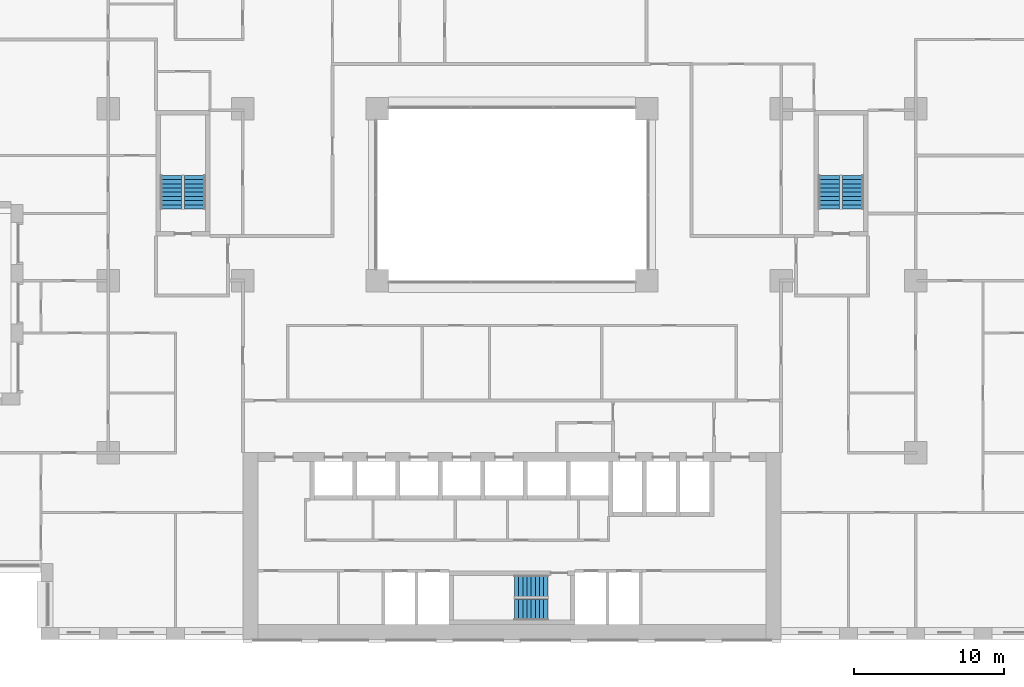
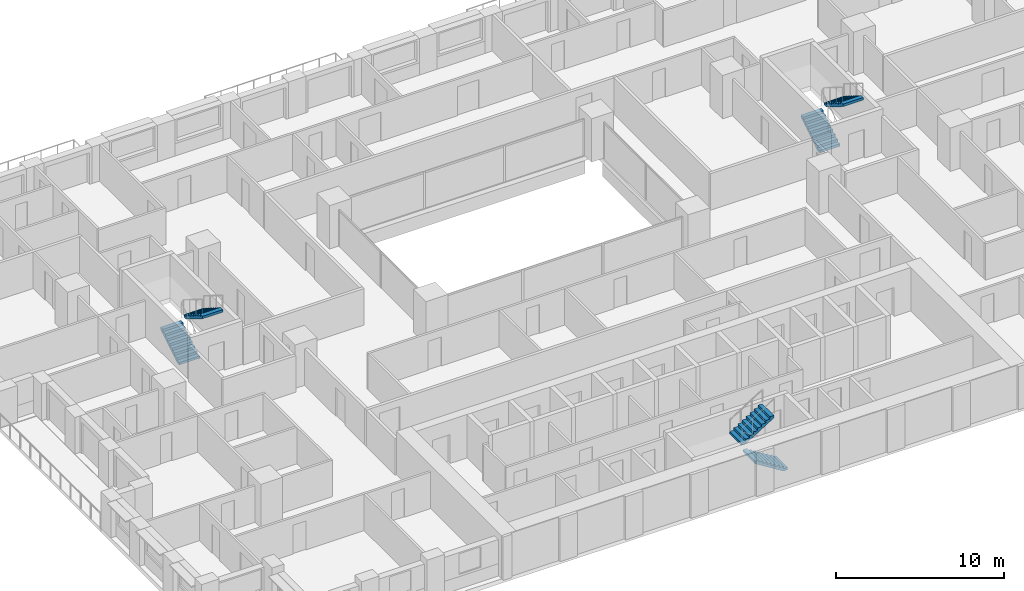
# One storey, part 18 of 20: 6 stair flights, 3 elements without a shape of their own.
"""IFC4 building model written with IfcOpenShell, lengths in metres."""

from ifc_helpers import new_model, si_unit, direction, frame, origin, place, context, subcontext, project, spatial, polyline, outline, extrude, material, type_object, element, aggregate, save


model = new_model("IFC4")

# Units and contexts
model_context = context("Model", 3, precision=1e-05, world=origin(), true_north=direction((0.0, 1.0)))
body_context = subcontext(model_context, "Body", "Model", "MODEL_VIEW")
ifc_project = project(units=[si_unit("LENGTHUNIT", "METRE"), si_unit("AREAUNIT", "SQUARE_METRE"), si_unit("VOLUMEUNIT", "CUBIC_METRE"), si_unit("PLANEANGLEUNIT", "RADIAN"), si_unit("MASSUNIT", "GRAM", prefix="KILO")], contexts=[model_context])

# Site, building, storey
site_placement = place(None, origin())
site = spatial("IfcSite", under=ifc_project, at=site_placement, CompositionType="ELEMENT")
building_placement = place(site_placement, origin())
building = spatial("IfcBuilding", under=site, at=building_placement, Name="Brigalow Station Residences", CompositionType="ELEMENT")
storey_placement = place(building_placement, frame((0.0, 0.0, 69.89990234375)))
storey = spatial("IfcBuildingStorey", under=building, at=storey_placement, Name="L20", CompositionType="ELEMENT", Elevation=69.89990234375)

# Stair, stair flights
ifc_material_1 = material(Name="Concrete C50", Category="concrete")
stair_type = type_object("IfcStairType", Name="EXIT STAIR 1400 2 FLIGHT", PredefinedType="HALF_TURN_STAIR", material=ifc_material_1)
stair_1_placement = place(storey_placement, origin())
stair_1 = element("IfcStair", 1, at=stair_1_placement, inside=storey, type_object=stair_type, Name="EXIT STAIR S2 L20", PredefinedType="HALF_TURN_STAIR")
ifc_material_2 = material(Name="Concrete C50", Category="concrete")
stair_flight_type = type_object("IfcStairFlightType", Name="STAIR FLIGHT 1400", PredefinedType="STRAIGHT", material=ifc_material_2)
stair_flight_1_placement = place(storey_placement, frame((38.39990234375, 2.0, 0.0), z_axis=(0.0, 0.0, 1.0), x_axis=(-1.0, 0.0, 0.0)))
stair_flight_1 = element("IfcStairFlight", 2, at=stair_flight_1_placement, type_object=stair_flight_type, Name="ST-2 flight 1", NumberOfRisers=9, NumberOfTreads=8, PredefinedType="STRAIGHT", RiserHeight=0.175, TreadLength=0.28, context=body_context, shape_type="SweptSolid", body=[
    extrude(outline(polyline([(0.0, 0.0), (0.0, 0.175048828125), (0.280029296875, 0.175048828125), (0.280029296875, 0.35009765625), (0.56005859375, 0.35009765625), (0.56005859375, 0.52490234375), (0.840087890625, 0.52490234375), (0.840087890625, 0.699951171875), (1.1201171875, 0.699951171875), (1.1201171875, 0.875), (1.39990234375, 0.875), (1.39990234375, 1.050048828125), (1.679931640625, 1.050048828125), (1.679931640625, 1.22509765625), (1.9599609375, 1.22509765625), (1.9599609375, 1.39990234375), (2.239990234375, 1.39990234375), (2.239990234375, 1.574951171875), (2.239990234375, 1.22314453125), (0.28271484375, 0.0), (0.0, 0.0)])), frame((0.0, 0.699951171875, 0.0), z_axis=(0.0, -1.0, 0.0), x_axis=(1.0, 0.0, 0.0)), (0.0, 0.0, 1.0), 1.39990234375),
])
stair_flight_2_placement = place(storey_placement, frame((36.159912109375, 3.60009765625, 1.5751953125), z_axis=(0.0, 0.0, 1.0), x_axis=(1.0, 0.0, 0.0)))
stair_flight_2 = element("IfcStairFlight", 3, at=stair_flight_2_placement, type_object=stair_flight_type, Name="ST-2 flight 2", NumberOfRisers=9, NumberOfTreads=8, PredefinedType="STRAIGHT", RiserHeight=0.175, TreadLength=0.28, context=body_context, shape_type="SweptSolid", body=[
    extrude(outline(polyline([(0.0, 0.0), (0.0, 0.175048828125), (0.280029296875, 0.175048828125), (0.280029296875, 0.35009765625), (0.56005859375, 0.35009765625), (0.56005859375, 0.52490234375), (0.840087890625, 0.52490234375), (0.840087890625, 0.699951171875), (1.1201171875, 0.699951171875), (1.1201171875, 0.875), (1.39990234375, 0.875), (1.39990234375, 1.050048828125), (1.679931640625, 1.050048828125), (1.679931640625, 1.22509765625), (1.9599609375, 1.22509765625), (1.9599609375, 1.39990234375), (2.239990234375, 1.39990234375), (2.239990234375, 1.574951171875), (2.239990234375, 1.22314453125), (0.28271484375, 0.0), (0.0, 0.0)])), frame((0.0, 0.699951171875, 0.0), z_axis=(0.0, -1.0, 0.0), x_axis=(1.0, 0.0, 0.0)), (0.0, 0.0, 1.0), 1.39990234375),
])
aggregate(stair_1, [stair_flight_1, stair_flight_2])

stair_2_placement = place(storey_placement, origin())
stair_2 = element("IfcStair", 4, at=stair_2_placement, inside=storey, type_object=stair_type, Name="EXIT STAIR S1 L20", PredefinedType="HALF_TURN_STAIR")
stair_flight_3_placement = place(storey_placement, frame((13.199951171875, 28.800048828125, 0.0), z_axis=(0.0, 0.0, 1.0), x_axis=(0.0, 1.0, 0.0)))
stair_flight_3 = element("IfcStairFlight", 5, at=stair_flight_3_placement, type_object=stair_flight_type, Name="ST-1 flight 1", NumberOfRisers=9, NumberOfTreads=8, PredefinedType="STRAIGHT", RiserHeight=0.175, TreadLength=0.28, context=body_context, shape_type="SweptSolid", body=[
    extrude(outline(polyline([(0.0, 0.0), (0.0, 0.175048828125), (0.280029296875, 0.175048828125), (0.280029296875, 0.35009765625), (0.56005859375, 0.35009765625), (0.56005859375, 0.52490234375), (0.840087890625, 0.52490234375), (0.840087890625, 0.699951171875), (1.1201171875, 0.699951171875), (1.1201171875, 0.875), (1.39990234375, 0.875), (1.39990234375, 1.050048828125), (1.679931640625, 1.050048828125), (1.679931640625, 1.22509765625), (1.9599609375, 1.22509765625), (1.9599609375, 1.39990234375), (2.239990234375, 1.39990234375), (2.239990234375, 1.574951171875), (2.239990234375, 1.22314453125), (0.28271484375, 0.0), (0.0, 0.0)])), frame((0.0, 0.699951171875, 0.0), z_axis=(0.0, -1.0, 0.0), x_axis=(1.0, 0.0, 0.0)), (0.0, 0.0, 1.0), 1.39990234375),
])
stair_flight_4_placement = place(storey_placement, frame((14.800048828125, 31.0400390625, 1.5751953125), z_axis=(0.0, 0.0, 1.0), x_axis=(0.0, -1.0, 0.0)))
stair_flight_4 = element("IfcStairFlight", 6, at=stair_flight_4_placement, type_object=stair_flight_type, Name="ST-1 flight 2", NumberOfRisers=9, NumberOfTreads=8, PredefinedType="STRAIGHT", RiserHeight=0.175, TreadLength=0.28, context=body_context, shape_type="SweptSolid", body=[
    extrude(outline(polyline([(0.0, 0.0), (0.0, 0.175048828125), (0.280029296875, 0.175048828125), (0.280029296875, 0.35009765625), (0.56005859375, 0.35009765625), (0.56005859375, 0.52490234375), (0.840087890625, 0.52490234375), (0.840087890625, 0.699951171875), (1.1201171875, 0.699951171875), (1.1201171875, 0.875), (1.39990234375, 0.875), (1.39990234375, 1.050048828125), (1.679931640625, 1.050048828125), (1.679931640625, 1.22509765625), (1.9599609375, 1.22509765625), (1.9599609375, 1.39990234375), (2.239990234375, 1.39990234375), (2.239990234375, 1.574951171875), (2.239990234375, 1.22314453125), (0.28271484375, 0.0), (0.0, 0.0)])), frame((0.0, 0.699951171875, 0.0), z_axis=(0.0, -1.0, 0.0), x_axis=(1.0, 0.0, 0.0)), (0.0, 0.0, 1.0), 1.39990234375),
])
aggregate(stair_2, [stair_flight_3, stair_flight_4])

stair_3_placement = place(storey_placement, origin())
stair_3 = element("IfcStair", 7, at=stair_3_placement, inside=storey, type_object=stair_type, Name="EXIT STAIR S3 L20", PredefinedType="HALF_TURN_STAIR")
stair_flight_5_placement = place(storey_placement, frame((57.199951171875, 28.800048828125, 0.0), z_axis=(0.0, 0.0, 1.0), x_axis=(0.0, 1.0, 0.0)))
stair_flight_5 = element("IfcStairFlight", 8, at=stair_flight_5_placement, type_object=stair_flight_type, Name="ST-3 flight 1", NumberOfRisers=9, NumberOfTreads=8, PredefinedType="STRAIGHT", RiserHeight=0.175, TreadLength=0.28, context=body_context, shape_type="SweptSolid", body=[
    extrude(outline(polyline([(0.0, 0.0), (0.0, 0.175048828125), (0.280029296875, 0.175048828125), (0.280029296875, 0.35009765625), (0.56005859375, 0.35009765625), (0.56005859375, 0.52490234375), (0.840087890625, 0.52490234375), (0.840087890625, 0.699951171875), (1.1201171875, 0.699951171875), (1.1201171875, 0.875), (1.39990234375, 0.875), (1.39990234375, 1.050048828125), (1.679931640625, 1.050048828125), (1.679931640625, 1.22509765625), (1.9599609375, 1.22509765625), (1.9599609375, 1.39990234375), (2.239990234375, 1.39990234375), (2.239990234375, 1.574951171875), (2.239990234375, 1.22314453125), (0.28271484375, 0.0), (0.0, 0.0)])), frame((0.0, 0.699951171875, 0.0), z_axis=(0.0, -1.0, 0.0), x_axis=(1.0, 0.0, 0.0)), (0.0, 0.0, 1.0), 1.39990234375),
])
stair_flight_6_placement = place(storey_placement, frame((58.800048828125, 31.0400390625, 1.5751953125), z_axis=(0.0, 0.0, 1.0), x_axis=(0.0, -1.0, 0.0)))
stair_flight_6 = element("IfcStairFlight", 9, at=stair_flight_6_placement, type_object=stair_flight_type, Name="ST-3 flight 2", NumberOfRisers=9, NumberOfTreads=8, PredefinedType="STRAIGHT", RiserHeight=0.175, TreadLength=0.28, context=body_context, shape_type="SweptSolid", body=[
    extrude(outline(polyline([(0.0, 0.0), (0.0, 0.175048828125), (0.280029296875, 0.175048828125), (0.280029296875, 0.35009765625), (0.56005859375, 0.35009765625), (0.56005859375, 0.52490234375), (0.840087890625, 0.52490234375), (0.840087890625, 0.699951171875), (1.1201171875, 0.699951171875), (1.1201171875, 0.875), (1.39990234375, 0.875), (1.39990234375, 1.050048828125), (1.679931640625, 1.050048828125), (1.679931640625, 1.22509765625), (1.9599609375, 1.22509765625), (1.9599609375, 1.39990234375), (2.239990234375, 1.39990234375), (2.239990234375, 1.574951171875), (2.239990234375, 1.22314453125), (0.28271484375, 0.0), (0.0, 0.0)])), frame((0.0, 0.699951171875, 0.0), z_axis=(0.0, -1.0, 0.0), x_axis=(1.0, 0.0, 0.0)), (0.0, 0.0, 1.0), 1.39990234375),
])
aggregate(stair_3, [stair_flight_5, stair_flight_6])

save(model, "model.ifc")
